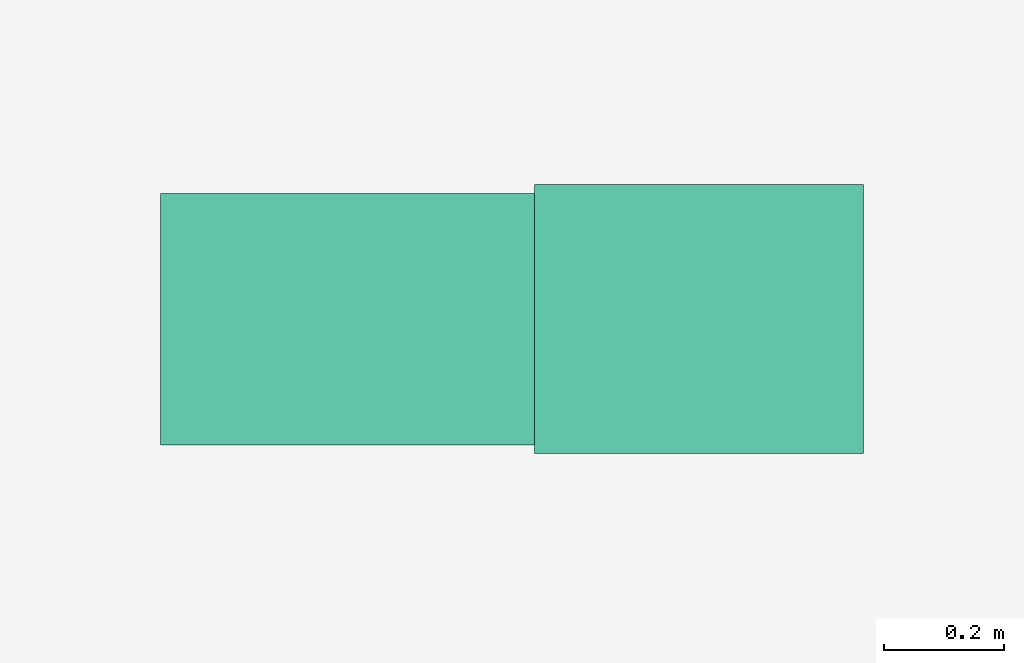
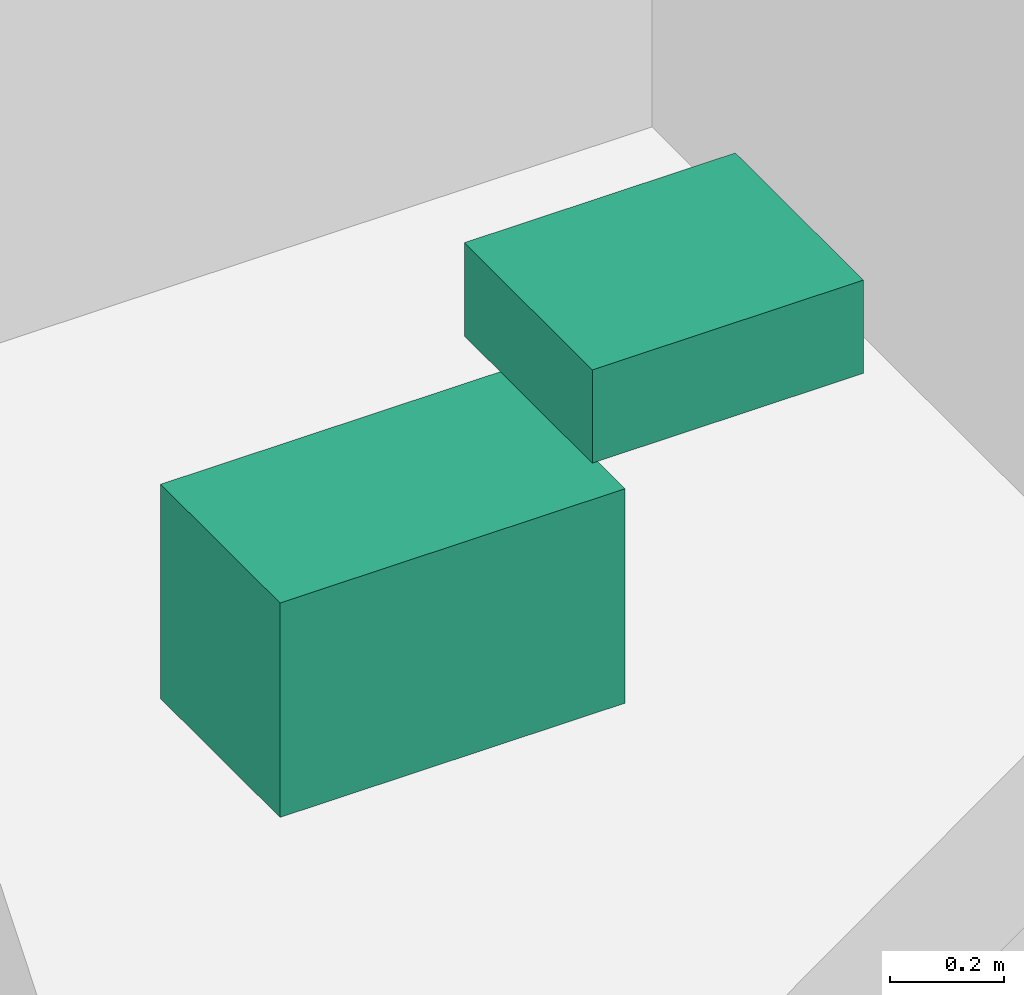
# One storey, part 21 of 22: 2 sanitary terminals.
"""IFC4 building model written with IfcOpenShell, lengths in metres."""

from ifc_helpers import new_model, si_unit, direction, frame, origin, origin_2d, place, context, subcontext, project, spatial, rectangle, extrude, material, type_object, element, save


model = new_model("IFC4")

# Units and contexts
model_context = context("Model", 3, precision=1e-05, world=origin(), true_north=direction((0.0, 1.0)))
body_context = subcontext(model_context, "Body", "Model", "MODEL_VIEW")
ifc_project = project(units=[si_unit("LENGTHUNIT", "METRE"), si_unit("AREAUNIT", "SQUARE_METRE"), si_unit("VOLUMEUNIT", "CUBIC_METRE"), si_unit("PLANEANGLEUNIT", "RADIAN"), si_unit("MASSUNIT", "GRAM", prefix="KILO")], contexts=[model_context])

# Site, building, storey
site_placement = place(None, origin())
site = spatial("IfcSite", under=ifc_project, at=site_placement, CompositionType="ELEMENT")
building_placement = place(site_placement, origin())
building = spatial("IfcBuilding", under=site, at=building_placement, Name="Surkhivell Harbour Commons", CompositionType="ELEMENT")
storey_placement = place(building_placement, frame((0.0, 0.0, 337.5)))
storey = spatial("IfcBuildingStorey", under=building, at=storey_placement, Name="L88", CompositionType="ELEMENT", Elevation=337.5)

# Sanitary terminals
ifc_material_1 = material(Name="Vitreous china washbasin", Category="other")
sanitary_terminal_type_1 = type_object("IfcSanitaryTerminalType", Name="SAN-BSN", PredefinedType="WASHHANDBASIN", material=ifc_material_1)
sanitary_terminal_1_placement = place(storey_placement, frame((1.89990234375, 2.89990234375, 0.72021484375), z_axis=(0.0, 0.0, 1.0), x_axis=(1.0, 0.0, 0.0)))
element("IfcSanitaryTerminal", 1, at=sanitary_terminal_1_placement, inside=storey, type_object=sanitary_terminal_type_1, Name="L88 Core Accessible WC Washbasin", PredefinedType="WASHHANDBASIN", context=body_context, shape_type="SweptSolid", body=[
    extrude(rectangle(XDim=0.550048828125, YDim=0.449951171875, at=origin_2d()), origin(), (0.0, 0.0, 1.0), 0.199951171875),
])
ifc_material_2 = material(Name="Vitreous china sanitaryware", Category="other")
sanitary_terminal_type_2 = type_object("IfcSanitaryTerminalType", Name="SAN-WC-ACC", PredefinedType="TOILETPAN", material=ifc_material_2)
sanitary_terminal_2_placement = place(storey_placement, frame((1.35009765625, 2.89990234375, 0.169921875), z_axis=(0.0, 0.0, 1.0), x_axis=(1.0, 0.0, 0.0)))
element("IfcSanitaryTerminal", 2, at=sanitary_terminal_2_placement, inside=storey, type_object=sanitary_terminal_type_2, Name="L88 Core Accessible WC", PredefinedType="TOILETPAN", context=body_context, shape_type="SweptSolid", body=[
    extrude(rectangle(XDim=0.699951171875, YDim=0.419921875, at=origin_2d()), origin(), (0.0, 0.0, 1.0), 0.4599609375),
])

save(model, "model.ifc")
